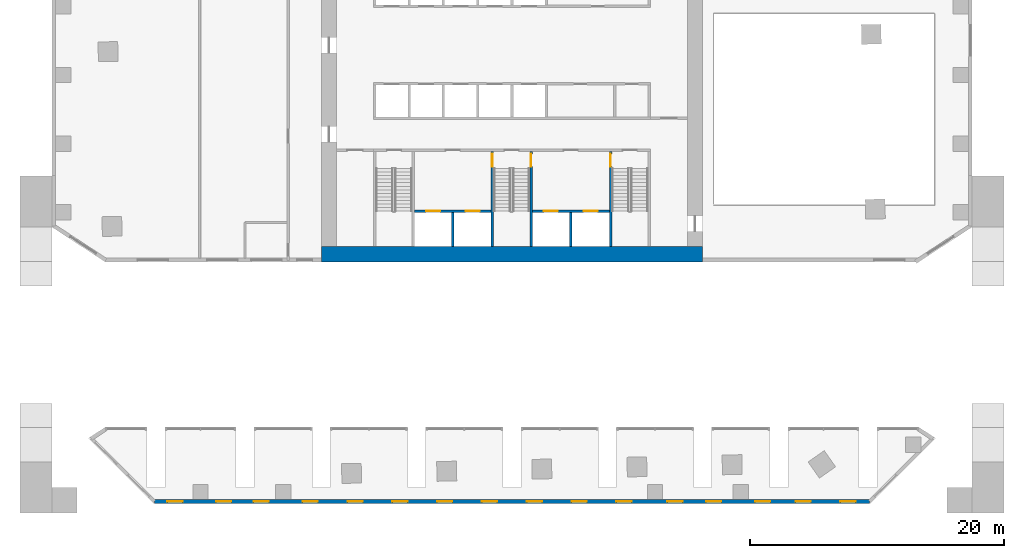
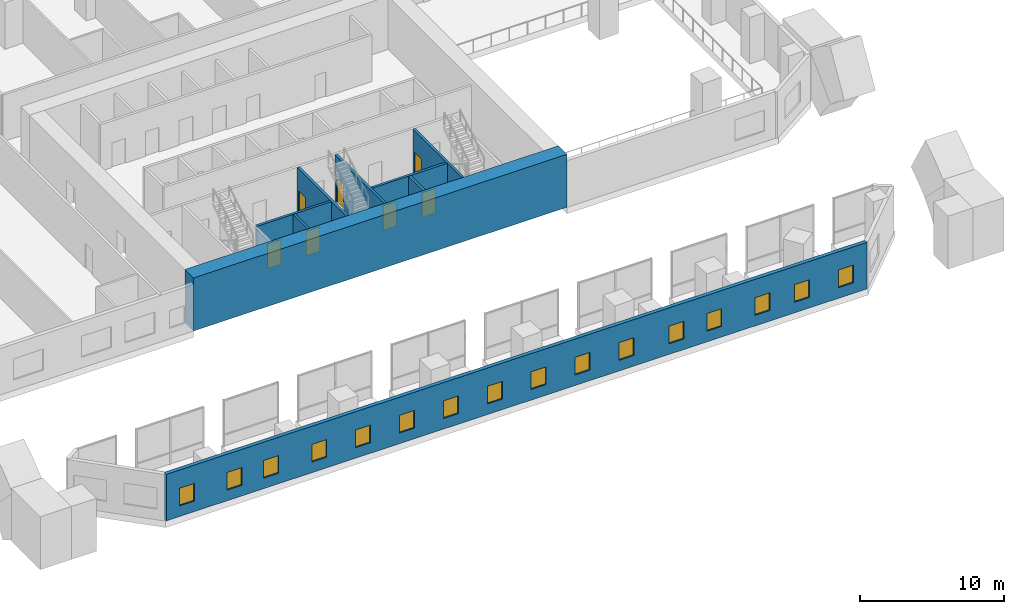
# One storey, part 6 of 12: 16 windows, 9 walls, 7 doors, 23 openings.
"""IFC4 building model written with IfcOpenShell, lengths in metres."""

from ifc_helpers import new_model, si_unit, direction, frame, frame_2d, origin, place, context, subcontext, project, spatial, rectangle, extrude, material, layer, layer_set, type_object, element, fill, save


model = new_model("IFC4")

# Units and contexts
model_context = context("Model", 3, precision=1e-05, world=origin(), true_north=direction((0.0, 1.0)))
body_context = subcontext(model_context, "Body", "Model", "MODEL_VIEW")
ifc_project = project(units=[si_unit("LENGTHUNIT", "METRE"), si_unit("AREAUNIT", "SQUARE_METRE"), si_unit("VOLUMEUNIT", "CUBIC_METRE"), si_unit("PLANEANGLEUNIT", "RADIAN"), si_unit("MASSUNIT", "GRAM", prefix="KILO")], contexts=[model_context])

# Site, building, storey
site_placement = place(None, origin())
site = spatial("IfcSite", under=ifc_project, at=site_placement, CompositionType="ELEMENT")
building_placement = place(site_placement, origin())
building = spatial("IfcBuilding", under=site, at=building_placement, Name="Mangrove Gate Tower", CompositionType="ELEMENT")
storey_placement = place(building_placement, frame((0.0, 0.0, 16.0)))
storey = spatial("IfcBuildingStorey", under=building, at=storey_placement, Name="L03", CompositionType="ELEMENT", Elevation=16.0)

# Wall, openings, doors
ifc_material_1 = material(Name="Concrete C70/85", Category="concrete")
ifc_layer_1 = layer(ifc_material_1, 0.199951171875)
ifc_layer_set_1 = layer_set([ifc_layer_1], Name="Core shaft wall 200 C70/85")
wall_type_1 = type_object("IfcWallType", Name="Core shaft wall 200 C70/85", PredefinedType="SHEAR", material=ifc_layer_set_1)
wall_1_placement = place(storey_placement, frame((-7.64990234375, -8.0, 0.0), z_axis=(0.0, 0.0, 1.0), x_axis=(1.0, 0.0, 0.0)))
wall_1 = element("IfcWall", 1, at=wall_1_placement, inside=storey, type_object=wall_type_1, Name="WALL-L03-CORE-15", PredefinedType="SHEAR", context=body_context, shape_type="SweptSolid", body=[
    extrude(rectangle(XDim=6.0, YDim=0.199951171875, at=frame_2d((3.0, 0.0))), origin(), (0.0, 0.0, 1.0), 3.949951171875),
])
opening_1_placement = place(wall_1_placement, frame((0.89990234375, 0.0, 0.0)))
opening_1 = element("IfcOpeningElement", 2, at=opening_1_placement, cuts=wall_1, Name="Opening LD", PredefinedType="OPENING", context=body_context, shape_type="SweptSolid", body=[
    extrude(rectangle(XDim=1.10009765625, YDim=2.10009765625, at=frame_2d((0.550048828125, 1.050048828125))), frame((0.0, 0.10986328125, 0.0), z_axis=(0.0, -1.0, 0.0), x_axis=(1.0, 0.0, 0.0)), (0.0, 0.0, 1.0), 0.219970703125),
])
opening_2_placement = place(wall_1_placement, frame((4.0, 0.0, 0.0)))
opening_2 = element("IfcOpeningElement", 3, at=opening_2_placement, cuts=wall_1, Name="Opening LD", PredefinedType="OPENING", context=body_context, shape_type="SweptSolid", body=[
    extrude(rectangle(XDim=1.10009765625, YDim=2.10009765625, at=frame_2d((0.550048828125, 1.050048828125))), frame((0.0, 0.10986328125, 0.0), z_axis=(0.0, -1.0, 0.0), x_axis=(1.0, 0.0, 0.0)), (0.0, 0.0, 1.0), 0.219970703125),
])
ifc_material_2 = material(Name="Stainless steel 316", Category="steel")
door_type_1 = type_object("IfcDoorType", Name="Lift landing door 1100x2100", OperationType="SLIDING_TO_LEFT", PredefinedType="DOOR", material=ifc_material_2)
door_1_placement = place(opening_1_placement, origin())
door_1 = element("IfcDoor", 4, at=door_1_placement, inside=storey, type_object=door_type_1, Name="Landing door LD SVL1", OperationType="SLIDING_TO_LEFT", OverallHeight=2.10009765625, OverallWidth=1.10009765625, PredefinedType="DOOR", context=body_context, shape_type="SweptSolid", body=[
    extrude(rectangle(XDim=1.10009765625, YDim=2.10009765625, at=frame_2d((0.550048828125, 1.050048828125))), frame((0.0, 0.02490234375, 0.0), z_axis=(0.0, -1.0, 0.0), x_axis=(1.0, 0.0, 0.0)), (0.0, 0.0, 1.0), 0.050048828125),
])
fill(opening_1, door_1)
door_2_placement = place(opening_2_placement, origin())
door_2 = element("IfcDoor", 5, at=door_2_placement, inside=storey, type_object=door_type_1, Name="Landing door LD SVL2", OperationType="SLIDING_TO_LEFT", OverallHeight=2.10009765625, OverallWidth=1.10009765625, PredefinedType="DOOR", context=body_context, shape_type="SweptSolid", body=[
    extrude(rectangle(XDim=1.10009765625, YDim=2.10009765625, at=frame_2d((0.550048828125, 1.050048828125))), frame((0.0, 0.02490234375, 0.0), z_axis=(0.0, -1.0, 0.0), x_axis=(1.0, 0.0, 0.0)), (0.0, 0.0, 1.0), 0.050048828125),
])
fill(opening_2, door_2)

# Wall
wall_2_placement = place(storey_placement, frame((-4.64990234375, -10.800048828125, 0.0), z_axis=(0.0, 0.0, 1.0), x_axis=(0.0, 1.0, 0.0)))
element("IfcWall", 6, at=wall_2_placement, inside=storey, type_object=wall_type_1, Name="WALL-L03-CORE-16", PredefinedType="SHEAR", context=body_context, shape_type="SweptSolid", body=[
    extrude(rectangle(XDim=2.699951171875, YDim=0.199951171875, at=frame_2d((1.35009765625, 0.0))), origin(), (0.0, 0.0, 1.0), 3.949951171875),
])

# Wall, openings, doors
wall_3_placement = place(storey_placement, frame((1.60009765625, -8.0, 0.0), z_axis=(0.0, 0.0, 1.0), x_axis=(1.0, 0.0, 0.0)))
wall_3 = element("IfcWall", 7, at=wall_3_placement, inside=storey, type_object=wall_type_1, Name="WALL-L03-CORE-17", PredefinedType="SHEAR", context=body_context, shape_type="SweptSolid", body=[
    extrude(rectangle(XDim=6.0498046875, YDim=0.199951171875, at=frame_2d((3.02490234375, 0.0))), origin(), (0.0, 0.0, 1.0), 3.949951171875),
])
opening_3_placement = place(wall_3_placement, frame((0.91259765625, 0.0, 0.0)))
opening_3 = element("IfcOpeningElement", 8, at=opening_3_placement, cuts=wall_3, Name="Opening LD", PredefinedType="OPENING", context=body_context, shape_type="SweptSolid", body=[
    extrude(rectangle(XDim=1.10009765625, YDim=2.10009765625, at=frame_2d((0.550048828125, 1.050048828125))), frame((0.0, 0.10986328125, 0.0), z_axis=(0.0, -1.0, 0.0), x_axis=(1.0, 0.0, 0.0)), (0.0, 0.0, 1.0), 0.219970703125),
])
opening_4_placement = place(wall_3_placement, frame((4.03759765625, 0.0, 0.0)))
opening_4 = element("IfcOpeningElement", 9, at=opening_4_placement, cuts=wall_3, Name="Opening LD", PredefinedType="OPENING", context=body_context, shape_type="SweptSolid", body=[
    extrude(rectangle(XDim=1.10009765625, YDim=2.10009765625, at=frame_2d((0.550048828125, 1.050048828125))), frame((0.0, 0.10986328125, 0.0), z_axis=(0.0, -1.0, 0.0), x_axis=(1.0, 0.0, 0.0)), (0.0, 0.0, 1.0), 0.219970703125),
])
door_3_placement = place(opening_3_placement, origin())
door_3 = element("IfcDoor", 10, at=door_3_placement, inside=storey, type_object=door_type_1, Name="Landing door LD FFL1", OperationType="SLIDING_TO_LEFT", OverallHeight=2.10009765625, OverallWidth=1.10009765625, PredefinedType="DOOR", context=body_context, shape_type="SweptSolid", body=[
    extrude(rectangle(XDim=1.10009765625, YDim=2.10009765625, at=frame_2d((0.550048828125, 1.050048828125))), frame((0.0, 0.02490234375, 0.0), z_axis=(0.0, -1.0, 0.0), x_axis=(1.0, 0.0, 0.0)), (0.0, 0.0, 1.0), 0.050048828125),
])
fill(opening_3, door_3)
door_4_placement = place(opening_4_placement, origin())
door_4 = element("IfcDoor", 11, at=door_4_placement, inside=storey, type_object=door_type_1, Name="Landing door LD FFL2", OperationType="SLIDING_TO_LEFT", OverallHeight=2.10009765625, OverallWidth=1.10009765625, PredefinedType="DOOR", context=body_context, shape_type="SweptSolid", body=[
    extrude(rectangle(XDim=1.10009765625, YDim=2.10009765625, at=frame_2d((0.550048828125, 1.050048828125))), frame((0.0, 0.02490234375, 0.0), z_axis=(0.0, -1.0, 0.0), x_axis=(1.0, 0.0, 0.0)), (0.0, 0.0, 1.0), 0.050048828125),
])
fill(opening_4, door_4)

# Wall
wall_4_placement = place(storey_placement, frame((4.625, -10.800048828125, 0.0), z_axis=(0.0, 0.0, 1.0), x_axis=(0.0, 1.0, 0.0)))
element("IfcWall", 12, at=wall_4_placement, inside=storey, type_object=wall_type_1, Name="WALL-L03-CORE-18", PredefinedType="SHEAR", context=body_context, shape_type="SweptSolid", body=[
    extrude(rectangle(XDim=2.699951171875, YDim=0.199951171875, at=frame_2d((1.35009765625, 0.0))), origin(), (0.0, 0.0, 1.0), 3.949951171875),
])

# Wall, opening, door
ifc_material_3 = material(Name="Concrete C70/85", Category="concrete")
ifc_layer_2 = layer(ifc_material_3, 0.199951171875)
ifc_layer_set_2 = layer_set([ifc_layer_2], Name="Core stair wall 200 C70/85")
wall_type_2 = type_object("IfcWallType", Name="Core stair wall 200 C70/85", PredefinedType="SHEAR", material=ifc_layer_set_2)
wall_5_placement = place(storey_placement, frame((-1.550048828125, -10.800048828125, 0.0), z_axis=(0.0, 0.0, 1.0), x_axis=(0.0, 1.0, 0.0)))
wall_5 = element("IfcWall", 13, at=wall_5_placement, inside=storey, type_object=wall_type_2, Name="WALL-L03-CORE-11", PredefinedType="SHEAR", context=body_context, shape_type="SweptSolid", body=[
    extrude(rectangle(XDim=7.5, YDim=0.199951171875, at=frame_2d((3.75, 0.0))), origin(), (0.0, 0.0, 1.0), 3.949951171875),
])
opening_5_placement = place(wall_5_placement, frame((6.300048828125, 0.0, 0.0)))
opening_5 = element("IfcOpeningElement", 14, at=opening_5_placement, cuts=wall_5, Name="Opening STD10", PredefinedType="OPENING", context=body_context, shape_type="SweptSolid", body=[
    extrude(rectangle(XDim=1.0, YDim=2.10009765625, at=frame_2d((0.5, 1.050048828125))), frame((0.0, 0.10986328125, 0.0), z_axis=(0.0, -1.0, 0.0), x_axis=(1.0, 0.0, 0.0)), (0.0, 0.0, 1.0), 0.219970703125),
])
ifc_material_4 = material(Name="Fire-rated steel door set", Category="steel")
door_type_2 = type_object("IfcDoorType", Name="Stair door FD60 1000x2100", OperationType="SINGLE_SWING_RIGHT", PredefinedType="DOOR", material=ifc_material_4)
door_5_placement = place(opening_5_placement, origin())
door_5 = element("IfcDoor", 15, at=door_5_placement, inside=storey, type_object=door_type_2, Name="Stair door Stair 2 from service lobby", OperationType="SINGLE_SWING_RIGHT", OverallHeight=2.10009765625, OverallWidth=1.0, PredefinedType="DOOR", context=body_context, shape_type="SweptSolid", body=[
    extrude(rectangle(XDim=1.0, YDim=2.10009765625, at=frame_2d((0.5, 1.050048828125))), frame((0.0, 0.02490234375, 0.0), z_axis=(0.0, -1.0, 0.0), x_axis=(1.0, 0.0, 0.0)), (0.0, 0.0, 1.0), 0.050048828125),
])
fill(opening_5, door_5)

wall_6_placement = place(storey_placement, frame((1.5, -10.800048828125, 0.0), z_axis=(0.0, 0.0, 1.0), x_axis=(0.0, 1.0, 0.0)))
wall_6 = element("IfcWall", 16, at=wall_6_placement, inside=storey, type_object=wall_type_2, Name="WALL-L03-CORE-12", PredefinedType="SHEAR", context=body_context, shape_type="SweptSolid", body=[
    extrude(rectangle(XDim=7.5, YDim=0.199951171875, at=frame_2d((3.75, 0.0))), origin(), (0.0, 0.0, 1.0), 3.949951171875),
])
opening_6_placement = place(wall_6_placement, frame((6.300048828125, 0.0, 0.0)))
opening_6 = element("IfcOpeningElement", 17, at=opening_6_placement, cuts=wall_6, Name="Opening STD10", PredefinedType="OPENING", context=body_context, shape_type="SweptSolid", body=[
    extrude(rectangle(XDim=1.0, YDim=2.10009765625, at=frame_2d((0.5, 1.050048828125))), frame((0.0, 0.10986328125, 0.0), z_axis=(0.0, -1.0, 0.0), x_axis=(1.0, 0.0, 0.0)), (0.0, 0.0, 1.0), 0.219970703125),
])
door_6_placement = place(opening_6_placement, origin())
door_6 = element("IfcDoor", 18, at=door_6_placement, inside=storey, type_object=door_type_2, Name="Stair door Stair 2 from fire-fighting lobby", OperationType="SINGLE_SWING_RIGHT", OverallHeight=2.10009765625, OverallWidth=1.0, PredefinedType="DOOR", context=body_context, shape_type="SweptSolid", body=[
    extrude(rectangle(XDim=1.0, YDim=2.10009765625, at=frame_2d((0.5, 1.050048828125))), frame((0.0, 0.02490234375, 0.0), z_axis=(0.0, -1.0, 0.0), x_axis=(1.0, 0.0, 0.0)), (0.0, 0.0, 1.0), 0.050048828125),
])
fill(opening_6, door_6)

wall_7_placement = place(storey_placement, frame((7.75, -10.800048828125, 0.0), z_axis=(0.0, 0.0, 1.0), x_axis=(0.0, 1.0, 0.0)))
wall_7 = element("IfcWall", 19, at=wall_7_placement, inside=storey, type_object=wall_type_2, Name="WALL-L03-CORE-13", PredefinedType="SHEAR", context=body_context, shape_type="SweptSolid", body=[
    extrude(rectangle(XDim=7.5, YDim=0.199951171875, at=frame_2d((3.75, 0.0))), origin(), (0.0, 0.0, 1.0), 3.949951171875),
])
opening_7_placement = place(wall_7_placement, frame((6.300048828125, 0.0, 0.0)))
opening_7 = element("IfcOpeningElement", 20, at=opening_7_placement, cuts=wall_7, Name="Opening STD10", PredefinedType="OPENING", context=body_context, shape_type="SweptSolid", body=[
    extrude(rectangle(XDim=1.0, YDim=2.10009765625, at=frame_2d((0.5, 1.050048828125))), frame((0.0, 0.10986328125, 0.0), z_axis=(0.0, -1.0, 0.0), x_axis=(1.0, 0.0, 0.0)), (0.0, 0.0, 1.0), 0.219970703125),
])
door_7_placement = place(opening_7_placement, origin())
door_7 = element("IfcDoor", 21, at=door_7_placement, inside=storey, type_object=door_type_2, Name="Stair door Stair 3 from fire-fighting lobby", OperationType="SINGLE_SWING_RIGHT", OverallHeight=2.10009765625, OverallWidth=1.0, PredefinedType="DOOR", context=body_context, shape_type="SweptSolid", body=[
    extrude(rectangle(XDim=1.0, YDim=2.10009765625, at=frame_2d((0.5, 1.050048828125))), frame((0.0, 0.02490234375, 0.0), z_axis=(0.0, -1.0, 0.0), x_axis=(1.0, 0.0, 0.0)), (0.0, 0.0, 1.0), 0.050048828125),
])
fill(opening_7, door_7)

# Wall
ifc_material_5 = material(Name="Concrete C70/85", Category="concrete")
ifc_layer_3 = layer(ifc_material_5, 1.199951171875)
ifc_layer_set_3 = layer_set([ifc_layer_3], Name="Core wall 1200 C70/85")
wall_type_3 = type_object("IfcWallType", Name="Core wall 1200 C70/85", PredefinedType="SHEAR", material=ifc_layer_set_3)
wall_8_placement = place(storey_placement, frame((-15.0, -11.39990234375, 0.0), z_axis=(0.0, 0.0, 1.0), x_axis=(1.0, 0.0, 0.0)))
element("IfcWall", 22, at=wall_8_placement, inside=storey, type_object=wall_type_3, Name="WALL-L03-CORE-1", PredefinedType="SHEAR", context=body_context, shape_type="SweptSolid", body=[
    extrude(rectangle(XDim=30.0, YDim=1.199951171875, at=frame_2d((15.0, 0.0))), origin(), (0.0, 0.0, 1.0), 4.5),
])

# Wall, openings, windows
ifc_material_6 = material(Name="Limestone", Category="masonry")
ifc_layer_4 = layer(ifc_material_6, 0.0400390625, Name="Limestone cladding")
ifc_material_7 = material(Name="Ventilated air gap")
ifc_layer_5 = layer(ifc_material_7, 0.0400390625, Name="Ventilated cavity")
ifc_material_8 = material(Name="Mineral wool insulation")
ifc_layer_6 = layer(ifc_material_8, 0.06005859375, Name="Insulation")
ifc_material_9 = material(Name="Breather membrane")
ifc_layer_7 = layer(ifc_material_9, 0.001953125, Name="Breather membrane")
ifc_material_10 = material(Name="Concrete C20/25 blockwork", Category="masonry")
ifc_layer_8 = layer(ifc_material_10, 0.14990234375, Name="Blockwork backing wall")
ifc_material_11 = material(Name="Gypsum plaster")
ifc_layer_9 = layer(ifc_material_11, 0.008056640625, Name="Internal plaster")
ifc_layer_set_4 = layer_set([ifc_layer_4, ifc_layer_5, ifc_layer_6, ifc_layer_7, ifc_layer_8, ifc_layer_9], Name="External wall 300 limestone cladding")
wall_type_4 = type_object("IfcWallType", Name="External wall 300 limestone cladding", PredefinedType="SOLIDWALL", material=ifc_layer_set_4)
wall_9_placement = place(storey_placement, frame((-28.137939453125, -30.85009765625, 0.0), z_axis=(0.0, 0.0, 1.0), x_axis=(1.0, 0.0, 0.0)))
wall_9 = element("IfcWall", 23, at=wall_9_placement, inside=storey, type_object=wall_type_4, Name="WALL-L03-S4", PredefinedType="SOLIDWALL", context=body_context, shape_type="SweptSolid", body=[
    extrude(rectangle(XDim=56.27587890625, YDim=0.300048828125, at=frame_2d((28.137939453125, 0.0))), origin(), (0.0, 0.0, 1.0), 3.949951171875),
])
opening_8_placement = place(wall_9_placement, frame((1.0380859375, 0.0, 0.89990234375)))
opening_8 = element("IfcOpeningElement", 24, at=opening_8_placement, cuts=wall_9, Name="Opening W1", PredefinedType="OPENING", context=body_context, shape_type="SweptSolid", body=[
    extrude(rectangle(XDim=1.199951171875, YDim=1.5, at=frame_2d((0.60009765625, 0.75))), frame((0.0, 0.159912109375, 0.0), z_axis=(0.0, -1.0, 0.0), x_axis=(1.0, 0.0, 0.0)), (0.0, 0.0, 1.0), 0.320068359375),
])
opening_9_placement = place(wall_9_placement, frame((4.863037109375, 0.0, 0.89990234375)))
opening_9 = element("IfcOpeningElement", 25, at=opening_9_placement, cuts=wall_9, Name="Opening W1", PredefinedType="OPENING", context=body_context, shape_type="SweptSolid", body=[
    extrude(rectangle(XDim=1.199951171875, YDim=1.5, at=frame_2d((0.60009765625, 0.75))), frame((0.0, 0.159912109375, 0.0), z_axis=(0.0, -1.0, 0.0), x_axis=(1.0, 0.0, 0.0)), (0.0, 0.0, 1.0), 0.320068359375),
])
opening_10_placement = place(wall_9_placement, frame((7.81298828125, 0.0, 0.89990234375)))
opening_10 = element("IfcOpeningElement", 26, at=opening_10_placement, cuts=wall_9, Name="Opening W1", PredefinedType="OPENING", context=body_context, shape_type="SweptSolid", body=[
    extrude(rectangle(XDim=1.199951171875, YDim=1.5, at=frame_2d((0.60009765625, 0.75))), frame((0.0, 0.159912109375, 0.0), z_axis=(0.0, -1.0, 0.0), x_axis=(1.0, 0.0, 0.0)), (0.0, 0.0, 1.0), 0.320068359375),
])
opening_11_placement = place(wall_9_placement, frame((11.675048828125, 0.0, 0.89990234375)))
opening_11 = element("IfcOpeningElement", 27, at=opening_11_placement, cuts=wall_9, Name="Opening W1", PredefinedType="OPENING", context=body_context, shape_type="SweptSolid", body=[
    extrude(rectangle(XDim=1.199951171875, YDim=1.5, at=frame_2d((0.60009765625, 0.75))), frame((0.0, 0.159912109375, 0.0), z_axis=(0.0, -1.0, 0.0), x_axis=(1.0, 0.0, 0.0)), (0.0, 0.0, 1.0), 0.320068359375),
])
opening_12_placement = place(wall_9_placement, frame((15.199951171875, 0.0, 0.89990234375)))
opening_12 = element("IfcOpeningElement", 28, at=opening_12_placement, cuts=wall_9, Name="Opening W1", PredefinedType="OPENING", context=body_context, shape_type="SweptSolid", body=[
    extrude(rectangle(XDim=1.199951171875, YDim=1.5, at=frame_2d((0.60009765625, 0.75))), frame((0.0, 0.159912109375, 0.0), z_axis=(0.0, -1.0, 0.0), x_axis=(1.0, 0.0, 0.0)), (0.0, 0.0, 1.0), 0.320068359375),
])
opening_13_placement = place(wall_9_placement, frame((18.72509765625, 0.0, 0.89990234375)))
opening_13 = element("IfcOpeningElement", 29, at=opening_13_placement, cuts=wall_9, Name="Opening W1", PredefinedType="OPENING", context=body_context, shape_type="SweptSolid", body=[
    extrude(rectangle(XDim=1.199951171875, YDim=1.5, at=frame_2d((0.60009765625, 0.75))), frame((0.0, 0.159912109375, 0.0), z_axis=(0.0, -1.0, 0.0), x_axis=(1.0, 0.0, 0.0)), (0.0, 0.0, 1.0), 0.320068359375),
])
opening_14_placement = place(wall_9_placement, frame((22.25, 0.0, 0.89990234375)))
opening_14 = element("IfcOpeningElement", 30, at=opening_14_placement, cuts=wall_9, Name="Opening W1", PredefinedType="OPENING", context=body_context, shape_type="SweptSolid", body=[
    extrude(rectangle(XDim=1.199951171875, YDim=1.5, at=frame_2d((0.60009765625, 0.75))), frame((0.0, 0.159912109375, 0.0), z_axis=(0.0, -1.0, 0.0), x_axis=(1.0, 0.0, 0.0)), (0.0, 0.0, 1.0), 0.320068359375),
])
opening_15_placement = place(wall_9_placement, frame((25.77490234375, 0.0, 0.89990234375)))
opening_15 = element("IfcOpeningElement", 31, at=opening_15_placement, cuts=wall_9, Name="Opening W1", PredefinedType="OPENING", context=body_context, shape_type="SweptSolid", body=[
    extrude(rectangle(XDim=1.199951171875, YDim=1.5, at=frame_2d((0.60009765625, 0.75))), frame((0.0, 0.159912109375, 0.0), z_axis=(0.0, -1.0, 0.0), x_axis=(1.0, 0.0, 0.0)), (0.0, 0.0, 1.0), 0.320068359375),
])
opening_16_placement = place(wall_9_placement, frame((29.300048828125, 0.0, 0.89990234375)))
opening_16 = element("IfcOpeningElement", 32, at=opening_16_placement, cuts=wall_9, Name="Opening W1", PredefinedType="OPENING", context=body_context, shape_type="SweptSolid", body=[
    extrude(rectangle(XDim=1.199951171875, YDim=1.5, at=frame_2d((0.60009765625, 0.75))), frame((0.0, 0.159912109375, 0.0), z_axis=(0.0, -1.0, 0.0), x_axis=(1.0, 0.0, 0.0)), (0.0, 0.0, 1.0), 0.320068359375),
])
opening_17_placement = place(wall_9_placement, frame((32.824951171875, 0.0, 0.89990234375)))
opening_17 = element("IfcOpeningElement", 33, at=opening_17_placement, cuts=wall_9, Name="Opening W1", PredefinedType="OPENING", context=body_context, shape_type="SweptSolid", body=[
    extrude(rectangle(XDim=1.199951171875, YDim=1.5, at=frame_2d((0.60009765625, 0.75))), frame((0.0, 0.159912109375, 0.0), z_axis=(0.0, -1.0, 0.0), x_axis=(1.0, 0.0, 0.0)), (0.0, 0.0, 1.0), 0.320068359375),
])
opening_18_placement = place(wall_9_placement, frame((36.35009765625, 0.0, 0.89990234375)))
opening_18 = element("IfcOpeningElement", 34, at=opening_18_placement, cuts=wall_9, Name="Opening W1", PredefinedType="OPENING", context=body_context, shape_type="SweptSolid", body=[
    extrude(rectangle(XDim=1.199951171875, YDim=1.5, at=frame_2d((0.60009765625, 0.75))), frame((0.0, 0.159912109375, 0.0), z_axis=(0.0, -1.0, 0.0), x_axis=(1.0, 0.0, 0.0)), (0.0, 0.0, 1.0), 0.320068359375),
])
opening_19_placement = place(wall_9_placement, frame((40.363037109375, 0.0, 0.89990234375)))
opening_19 = element("IfcOpeningElement", 35, at=opening_19_placement, cuts=wall_9, Name="Opening W1", PredefinedType="OPENING", context=body_context, shape_type="SweptSolid", body=[
    extrude(rectangle(XDim=1.199951171875, YDim=1.5, at=frame_2d((0.60009765625, 0.75))), frame((0.0, 0.159912109375, 0.0), z_axis=(0.0, -1.0, 0.0), x_axis=(1.0, 0.0, 0.0)), (0.0, 0.0, 1.0), 0.320068359375),
])
opening_20_placement = place(wall_9_placement, frame((43.39990234375, 0.0, 0.89990234375)))
opening_20 = element("IfcOpeningElement", 36, at=opening_20_placement, cuts=wall_9, Name="Opening W1", PredefinedType="OPENING", context=body_context, shape_type="SweptSolid", body=[
    extrude(rectangle(XDim=1.199951171875, YDim=1.5, at=frame_2d((0.60009765625, 0.75))), frame((0.0, 0.159912109375, 0.0), z_axis=(0.0, -1.0, 0.0), x_axis=(1.0, 0.0, 0.0)), (0.0, 0.0, 1.0), 0.320068359375),
])
opening_21_placement = place(wall_9_placement, frame((47.262939453125, 0.0, 0.89990234375)))
opening_21 = element("IfcOpeningElement", 37, at=opening_21_placement, cuts=wall_9, Name="Opening W1", PredefinedType="OPENING", context=body_context, shape_type="SweptSolid", body=[
    extrude(rectangle(XDim=1.199951171875, YDim=1.5, at=frame_2d((0.60009765625, 0.75))), frame((0.0, 0.159912109375, 0.0), z_axis=(0.0, -1.0, 0.0), x_axis=(1.0, 0.0, 0.0)), (0.0, 0.0, 1.0), 0.320068359375),
])
opening_22_placement = place(wall_9_placement, frame((50.449951171875, 0.0, 0.89990234375)))
opening_22 = element("IfcOpeningElement", 38, at=opening_22_placement, cuts=wall_9, Name="Opening W1", PredefinedType="OPENING", context=body_context, shape_type="SweptSolid", body=[
    extrude(rectangle(XDim=1.199951171875, YDim=1.5, at=frame_2d((0.60009765625, 0.75))), frame((0.0, 0.159912109375, 0.0), z_axis=(0.0, -1.0, 0.0), x_axis=(1.0, 0.0, 0.0)), (0.0, 0.0, 1.0), 0.320068359375),
])
opening_23_placement = place(wall_9_placement, frame((53.97509765625, 0.0, 0.89990234375)))
opening_23 = element("IfcOpeningElement", 39, at=opening_23_placement, cuts=wall_9, Name="Opening W1", PredefinedType="OPENING", context=body_context, shape_type="SweptSolid", body=[
    extrude(rectangle(XDim=1.199951171875, YDim=1.5, at=frame_2d((0.60009765625, 0.75))), frame((0.0, 0.159912109375, 0.0), z_axis=(0.0, -1.0, 0.0), x_axis=(1.0, 0.0, 0.0)), (0.0, 0.0, 1.0), 0.320068359375),
])
ifc_material_12 = material(Name="Aluminium frame with double-glazed low-e glass", Category="aluminium")
window_type = type_object("IfcWindowType", Name="Side lite 1200x1500", PartitioningType="SINGLE_PANEL", PredefinedType="WINDOW", material=ifc_material_12)
window_1_placement = place(opening_8_placement, origin())
window_1 = element("IfcWindow", 40, at=window_1_placement, inside=storey, type_object=window_type, Name="WIN-L03-S4-1", OverallHeight=1.5, OverallWidth=1.199951171875, PartitioningType="SINGLE_PANEL", PredefinedType="WINDOW", context=body_context, shape_type="SweptSolid", body=[
    extrude(rectangle(XDim=1.199951171875, YDim=1.5, at=frame_2d((0.60009765625, 0.75))), frame((0.0, 0.030029296875, 0.0), z_axis=(0.0, -1.0, 0.0), x_axis=(1.0, 0.0, 0.0)), (0.0, 0.0, 1.0), 0.06005859375),
])
fill(opening_8, window_1)
window_2_placement = place(opening_9_placement, origin())
window_2 = element("IfcWindow", 41, at=window_2_placement, inside=storey, type_object=window_type, Name="WIN-L03-S4-2", OverallHeight=1.5, OverallWidth=1.199951171875, PartitioningType="SINGLE_PANEL", PredefinedType="WINDOW", context=body_context, shape_type="SweptSolid", body=[
    extrude(rectangle(XDim=1.199951171875, YDim=1.5, at=frame_2d((0.60009765625, 0.75))), frame((0.0, 0.030029296875, 0.0), z_axis=(0.0, -1.0, 0.0), x_axis=(1.0, 0.0, 0.0)), (0.0, 0.0, 1.0), 0.06005859375),
])
fill(opening_9, window_2)
window_3_placement = place(opening_10_placement, origin())
window_3 = element("IfcWindow", 42, at=window_3_placement, inside=storey, type_object=window_type, Name="WIN-L03-S4-3", OverallHeight=1.5, OverallWidth=1.199951171875, PartitioningType="SINGLE_PANEL", PredefinedType="WINDOW", context=body_context, shape_type="SweptSolid", body=[
    extrude(rectangle(XDim=1.199951171875, YDim=1.5, at=frame_2d((0.60009765625, 0.75))), frame((0.0, 0.030029296875, 0.0), z_axis=(0.0, -1.0, 0.0), x_axis=(1.0, 0.0, 0.0)), (0.0, 0.0, 1.0), 0.06005859375),
])
fill(opening_10, window_3)
window_4_placement = place(opening_11_placement, origin())
window_4 = element("IfcWindow", 43, at=window_4_placement, inside=storey, type_object=window_type, Name="WIN-L03-S4-4", OverallHeight=1.5, OverallWidth=1.199951171875, PartitioningType="SINGLE_PANEL", PredefinedType="WINDOW", context=body_context, shape_type="SweptSolid", body=[
    extrude(rectangle(XDim=1.199951171875, YDim=1.5, at=frame_2d((0.60009765625, 0.75))), frame((0.0, 0.030029296875, 0.0), z_axis=(0.0, -1.0, 0.0), x_axis=(1.0, 0.0, 0.0)), (0.0, 0.0, 1.0), 0.06005859375),
])
fill(opening_11, window_4)
window_5_placement = place(opening_12_placement, origin())
window_5 = element("IfcWindow", 44, at=window_5_placement, inside=storey, type_object=window_type, Name="WIN-L03-S4-5", OverallHeight=1.5, OverallWidth=1.199951171875, PartitioningType="SINGLE_PANEL", PredefinedType="WINDOW", context=body_context, shape_type="SweptSolid", body=[
    extrude(rectangle(XDim=1.199951171875, YDim=1.5, at=frame_2d((0.60009765625, 0.75))), frame((0.0, 0.030029296875, 0.0), z_axis=(0.0, -1.0, 0.0), x_axis=(1.0, 0.0, 0.0)), (0.0, 0.0, 1.0), 0.06005859375),
])
fill(opening_12, window_5)
window_6_placement = place(opening_13_placement, origin())
window_6 = element("IfcWindow", 45, at=window_6_placement, inside=storey, type_object=window_type, Name="WIN-L03-S4-6", OverallHeight=1.5, OverallWidth=1.199951171875, PartitioningType="SINGLE_PANEL", PredefinedType="WINDOW", context=body_context, shape_type="SweptSolid", body=[
    extrude(rectangle(XDim=1.199951171875, YDim=1.5, at=frame_2d((0.60009765625, 0.75))), frame((0.0, 0.030029296875, 0.0), z_axis=(0.0, -1.0, 0.0), x_axis=(1.0, 0.0, 0.0)), (0.0, 0.0, 1.0), 0.06005859375),
])
fill(opening_13, window_6)
window_7_placement = place(opening_14_placement, origin())
window_7 = element("IfcWindow", 46, at=window_7_placement, inside=storey, type_object=window_type, Name="WIN-L03-S4-7", OverallHeight=1.5, OverallWidth=1.199951171875, PartitioningType="SINGLE_PANEL", PredefinedType="WINDOW", context=body_context, shape_type="SweptSolid", body=[
    extrude(rectangle(XDim=1.199951171875, YDim=1.5, at=frame_2d((0.60009765625, 0.75))), frame((0.0, 0.030029296875, 0.0), z_axis=(0.0, -1.0, 0.0), x_axis=(1.0, 0.0, 0.0)), (0.0, 0.0, 1.0), 0.06005859375),
])
fill(opening_14, window_7)
window_8_placement = place(opening_15_placement, origin())
window_8 = element("IfcWindow", 47, at=window_8_placement, inside=storey, type_object=window_type, Name="WIN-L03-S4-8", OverallHeight=1.5, OverallWidth=1.199951171875, PartitioningType="SINGLE_PANEL", PredefinedType="WINDOW", context=body_context, shape_type="SweptSolid", body=[
    extrude(rectangle(XDim=1.199951171875, YDim=1.5, at=frame_2d((0.60009765625, 0.75))), frame((0.0, 0.030029296875, 0.0), z_axis=(0.0, -1.0, 0.0), x_axis=(1.0, 0.0, 0.0)), (0.0, 0.0, 1.0), 0.06005859375),
])
fill(opening_15, window_8)
window_9_placement = place(opening_16_placement, origin())
window_9 = element("IfcWindow", 48, at=window_9_placement, inside=storey, type_object=window_type, Name="WIN-L03-S4-9", OverallHeight=1.5, OverallWidth=1.199951171875, PartitioningType="SINGLE_PANEL", PredefinedType="WINDOW", context=body_context, shape_type="SweptSolid", body=[
    extrude(rectangle(XDim=1.199951171875, YDim=1.5, at=frame_2d((0.60009765625, 0.75))), frame((0.0, 0.030029296875, 0.0), z_axis=(0.0, -1.0, 0.0), x_axis=(1.0, 0.0, 0.0)), (0.0, 0.0, 1.0), 0.06005859375),
])
fill(opening_16, window_9)
window_10_placement = place(opening_17_placement, origin())
window_10 = element("IfcWindow", 49, at=window_10_placement, inside=storey, type_object=window_type, Name="WIN-L03-S4-10", OverallHeight=1.5, OverallWidth=1.199951171875, PartitioningType="SINGLE_PANEL", PredefinedType="WINDOW", context=body_context, shape_type="SweptSolid", body=[
    extrude(rectangle(XDim=1.199951171875, YDim=1.5, at=frame_2d((0.60009765625, 0.75))), frame((0.0, 0.030029296875, 0.0), z_axis=(0.0, -1.0, 0.0), x_axis=(1.0, 0.0, 0.0)), (0.0, 0.0, 1.0), 0.06005859375),
])
fill(opening_17, window_10)
window_11_placement = place(opening_18_placement, origin())
window_11 = element("IfcWindow", 50, at=window_11_placement, inside=storey, type_object=window_type, Name="WIN-L03-S4-11", OverallHeight=1.5, OverallWidth=1.199951171875, PartitioningType="SINGLE_PANEL", PredefinedType="WINDOW", context=body_context, shape_type="SweptSolid", body=[
    extrude(rectangle(XDim=1.199951171875, YDim=1.5, at=frame_2d((0.60009765625, 0.75))), frame((0.0, 0.030029296875, 0.0), z_axis=(0.0, -1.0, 0.0), x_axis=(1.0, 0.0, 0.0)), (0.0, 0.0, 1.0), 0.06005859375),
])
fill(opening_18, window_11)
window_12_placement = place(opening_19_placement, origin())
window_12 = element("IfcWindow", 51, at=window_12_placement, inside=storey, type_object=window_type, Name="WIN-L03-S4-12", OverallHeight=1.5, OverallWidth=1.199951171875, PartitioningType="SINGLE_PANEL", PredefinedType="WINDOW", context=body_context, shape_type="SweptSolid", body=[
    extrude(rectangle(XDim=1.199951171875, YDim=1.5, at=frame_2d((0.60009765625, 0.75))), frame((0.0, 0.030029296875, 0.0), z_axis=(0.0, -1.0, 0.0), x_axis=(1.0, 0.0, 0.0)), (0.0, 0.0, 1.0), 0.06005859375),
])
fill(opening_19, window_12)
window_13_placement = place(opening_20_placement, origin())
window_13 = element("IfcWindow", 52, at=window_13_placement, inside=storey, type_object=window_type, Name="WIN-L03-S4-13", OverallHeight=1.5, OverallWidth=1.199951171875, PartitioningType="SINGLE_PANEL", PredefinedType="WINDOW", context=body_context, shape_type="SweptSolid", body=[
    extrude(rectangle(XDim=1.199951171875, YDim=1.5, at=frame_2d((0.60009765625, 0.75))), frame((0.0, 0.030029296875, 0.0), z_axis=(0.0, -1.0, 0.0), x_axis=(1.0, 0.0, 0.0)), (0.0, 0.0, 1.0), 0.06005859375),
])
fill(opening_20, window_13)
window_14_placement = place(opening_21_placement, origin())
window_14 = element("IfcWindow", 53, at=window_14_placement, inside=storey, type_object=window_type, Name="WIN-L03-S4-14", OverallHeight=1.5, OverallWidth=1.199951171875, PartitioningType="SINGLE_PANEL", PredefinedType="WINDOW", context=body_context, shape_type="SweptSolid", body=[
    extrude(rectangle(XDim=1.199951171875, YDim=1.5, at=frame_2d((0.60009765625, 0.75))), frame((0.0, 0.030029296875, 0.0), z_axis=(0.0, -1.0, 0.0), x_axis=(1.0, 0.0, 0.0)), (0.0, 0.0, 1.0), 0.06005859375),
])
fill(opening_21, window_14)
window_15_placement = place(opening_22_placement, origin())
window_15 = element("IfcWindow", 54, at=window_15_placement, inside=storey, type_object=window_type, Name="WIN-L03-S4-15", OverallHeight=1.5, OverallWidth=1.199951171875, PartitioningType="SINGLE_PANEL", PredefinedType="WINDOW", context=body_context, shape_type="SweptSolid", body=[
    extrude(rectangle(XDim=1.199951171875, YDim=1.5, at=frame_2d((0.60009765625, 0.75))), frame((0.0, 0.030029296875, 0.0), z_axis=(0.0, -1.0, 0.0), x_axis=(1.0, 0.0, 0.0)), (0.0, 0.0, 1.0), 0.06005859375),
])
fill(opening_22, window_15)
window_16_placement = place(opening_23_placement, origin())
window_16 = element("IfcWindow", 55, at=window_16_placement, inside=storey, type_object=window_type, Name="WIN-L03-S4-16", OverallHeight=1.5, OverallWidth=1.199951171875, PartitioningType="SINGLE_PANEL", PredefinedType="WINDOW", context=body_context, shape_type="SweptSolid", body=[
    extrude(rectangle(XDim=1.199951171875, YDim=1.5, at=frame_2d((0.60009765625, 0.75))), frame((0.0, 0.030029296875, 0.0), z_axis=(0.0, -1.0, 0.0), x_axis=(1.0, 0.0, 0.0)), (0.0, 0.0, 1.0), 0.06005859375),
])
fill(opening_23, window_16)

save(model, "model.ifc")
